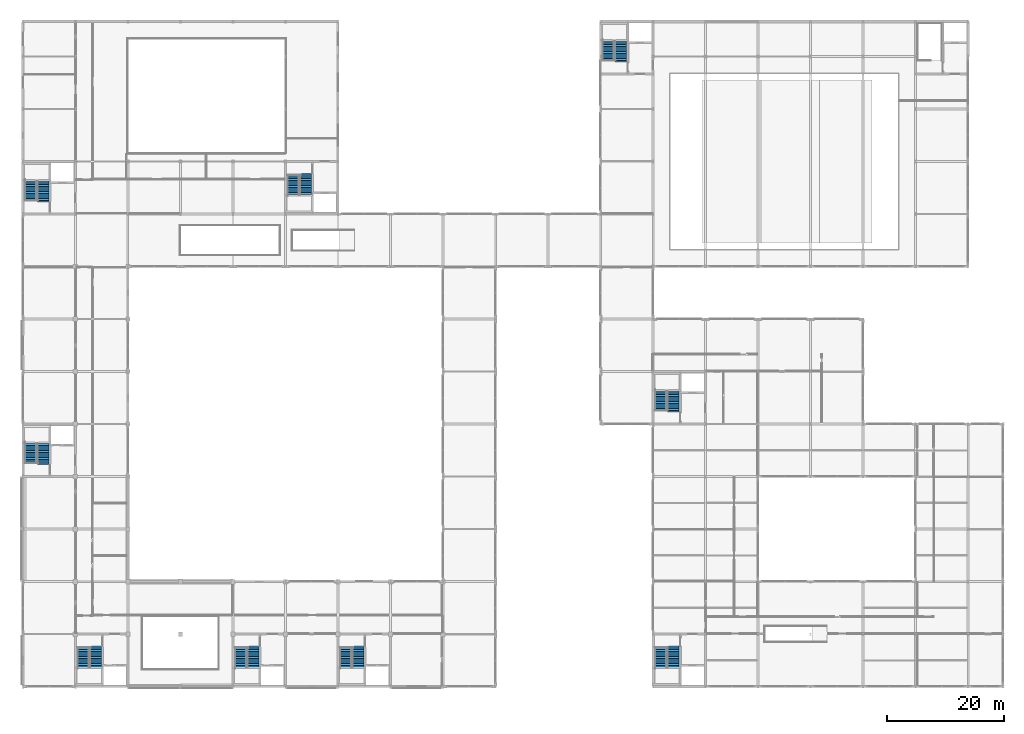
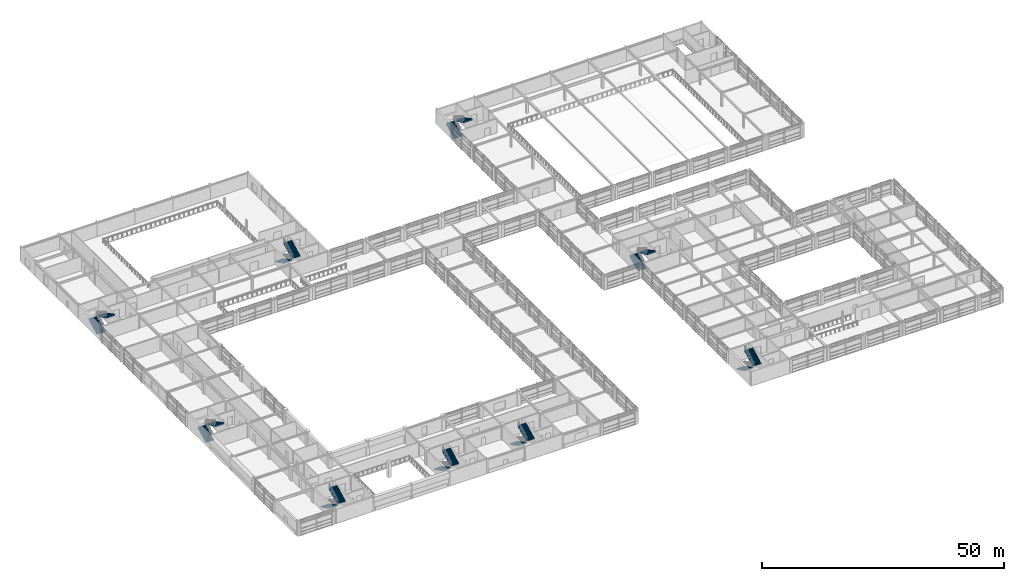
# One storey, part 72 of 79: 18 stair flights, 9 elements without a shape of their own.
"""IFC4 building model written with IfcOpenShell, lengths in metres."""

from ifc_helpers import new_model, si_unit, direction, frame, origin, place, context, subcontext, project, spatial, polyline, outline, extrude, material, type_object, element, aggregate, save


model = new_model("IFC4")

# Units and contexts
model_context = context("Model", 3, precision=1e-05, world=origin(), true_north=direction((0.0, 1.0)))
body_context = subcontext(model_context, "Body", "Model", "MODEL_VIEW")
ifc_project = project(units=[si_unit("LENGTHUNIT", "METRE"), si_unit("AREAUNIT", "SQUARE_METRE"), si_unit("VOLUMEUNIT", "CUBIC_METRE"), si_unit("PLANEANGLEUNIT", "RADIAN"), si_unit("MASSUNIT", "GRAM", prefix="KILO")], contexts=[model_context])

# Site, building, storey
site_placement = place(None, origin())
site = spatial("IfcSite", under=ifc_project, at=site_placement, CompositionType="ELEMENT")
building_placement = place(site_placement, origin())
building = spatial("IfcBuilding", under=site, at=building_placement, Name="Palais des Congres Ocreval", CompositionType="ELEMENT")
storey_placement = place(building_placement, frame((0.0, 0.0, 4.320068359375)))
storey = spatial("IfcBuildingStorey", under=building, at=storey_placement, Name="L01", CompositionType="ELEMENT", Elevation=4.320068359375)

# Stair, stair flights
ifc_material = material(Name="Concrete C40/50", Category="concrete")
stair_type_1 = type_object("IfcStairType", Name="Commission Core Stair 1950 Concrete C40/50", PredefinedType="HALF_TURN_STAIR", material=ifc_material)
stair_1_placement = place(storey_placement, origin())
stair_1 = element("IfcStair", 1, at=stair_1_placement, inside=storey, type_object=stair_type_1, Name="Protected Core Stair ST09 L01", PredefinedType="HALF_TURN_STAIR")
stair_flight_type_1 = type_object("IfcStairFlightType", Name="Commission Stair Flight W1950 Concrete C40/50", PredefinedType="STRAIGHT", material=ifc_material)
stair_flight_1_placement = place(storey_placement, frame((109.344970703125, 6.64990234375, 0.0), z_axis=(0.0, 0.0, 1.0), x_axis=(0.0, -1.0, 0.0)))
stair_flight_1 = element("IfcStairFlight", 2, at=stair_flight_1_placement, type_object=stair_flight_type_1, Name="Stair ST09 L01 Flight 1", NumberOfRisers=12, NumberOfTreads=11, PredefinedType="STRAIGHT", RiserHeight=0.16, TreadLength=0.3, context=body_context, shape_type="SweptSolid", body=[
    extrude(outline(polyline([(-0.006103515625, 0.0), (-0.006103515625, 0.080078125), (0.0, 0.159912109375), (0.300048828125, 0.159912109375), (0.300048828125, 0.320068359375), (0.60009765625, 0.320068359375), (0.60009765625, 0.47998046875), (0.89990234375, 0.47998046875), (0.89990234375, 0.639892578125), (1.199951171875, 0.639892578125), (1.199951171875, 0.800048828125), (1.5, 0.800048828125), (1.5, 0.9599609375), (1.800048828125, 0.9599609375), (1.800048828125, 1.1201171875), (2.10009765625, 1.1201171875), (2.10009765625, 1.280029296875), (2.39990234375, 1.280029296875), (2.39990234375, 1.43994140625), (2.699951171875, 1.43994140625), (2.699951171875, 1.60009765625), (3.0, 1.60009765625), (3.0, 1.760009765625), (3.300048828125, 1.760009765625), (3.300048828125, 1.919921875), (3.4599609375, 1.919921875), (3.4599609375, 1.578857421875), (0.33984375, 0.0), (-0.006103515625, 0.0)])), frame((0.0, 0.97509765625, 0.0), z_axis=(0.0, -1.0, 0.0), x_axis=(1.0, 0.0, 0.0)), (0.0, 0.0, 1.0), 1.949951171875),
])
stair_flight_2_placement = place(storey_placement, frame((111.455078125, 3.35009765625, 1.919921875), z_axis=(0.0, 0.0, 1.0), x_axis=(0.0, 1.0, 0.0)))
stair_flight_2 = element("IfcStairFlight", 3, at=stair_flight_2_placement, type_object=stair_flight_type_1, Name="Stair ST09 L01 Flight 2", NumberOfRisers=12, NumberOfTreads=11, PredefinedType="STRAIGHT", RiserHeight=0.16, TreadLength=0.3, context=body_context, shape_type="SweptSolid", body=[
    extrude(outline(polyline([(-0.006103515625, 0.0), (-0.006103515625, 0.080078125), (0.0, 0.159912109375), (0.300048828125, 0.159912109375), (0.300048828125, 0.320068359375), (0.60009765625, 0.320068359375), (0.60009765625, 0.47998046875), (0.89990234375, 0.47998046875), (0.89990234375, 0.639892578125), (1.199951171875, 0.639892578125), (1.199951171875, 0.800048828125), (1.5, 0.800048828125), (1.5, 0.9599609375), (1.800048828125, 0.9599609375), (1.800048828125, 1.1201171875), (2.10009765625, 1.1201171875), (2.10009765625, 1.280029296875), (2.39990234375, 1.280029296875), (2.39990234375, 1.43994140625), (2.699951171875, 1.43994140625), (2.699951171875, 1.60009765625), (3.0, 1.60009765625), (3.0, 1.760009765625), (3.300048828125, 1.760009765625), (3.300048828125, 1.919921875), (3.60009765625, 1.919921875), (3.60009765625, 1.578857421875), (0.33984375, 0.0), (-0.006103515625, 0.0)])), frame((0.0, 0.97509765625, 0.0), z_axis=(0.0, -1.0, 0.0), x_axis=(1.0, 0.0, 0.0)), (0.0, 0.0, 1.0), 1.949951171875),
])
aggregate(stair_1, [stair_flight_1, stair_flight_2])

stair_type_2 = type_object("IfcStairType", Name="Protected Core Stair L01 1950 Concrete C40/50", PredefinedType="HALF_TURN_STAIR", material=ifc_material)
stair_2_placement = place(storey_placement, origin())
stair_2 = element("IfcStair", 4, at=stair_2_placement, inside=storey, type_object=stair_type_2, Name="Protected Core Stair ST01 L01", PredefinedType="HALF_TURN_STAIR")
stair_flight_type_2 = type_object("IfcStairFlightType", Name="Core Stair Flight 12R x 160/300 W1950 Concrete C40/50", PredefinedType="STRAIGHT", material=ifc_material)
stair_flight_3_placement = place(storey_placement, frame((10.344970703125, 6.64990234375, 0.0), z_axis=(0.0, 0.0, 1.0), x_axis=(0.0, -1.0, 0.0)))
stair_flight_3 = element("IfcStairFlight", 5, at=stair_flight_3_placement, type_object=stair_flight_type_2, Name="Stair ST01 L01 Flight 1", NumberOfRisers=12, NumberOfTreads=11, PredefinedType="STRAIGHT", RiserHeight=0.16, TreadLength=0.3, context=body_context, shape_type="SweptSolid", body=[
    extrude(outline(polyline([(-0.006103515625, 0.0), (-0.006103515625, 0.080078125), (0.0, 0.159912109375), (0.300048828125, 0.159912109375), (0.300048828125, 0.320068359375), (0.60009765625, 0.320068359375), (0.60009765625, 0.47998046875), (0.89990234375, 0.47998046875), (0.89990234375, 0.639892578125), (1.199951171875, 0.639892578125), (1.199951171875, 0.800048828125), (1.5, 0.800048828125), (1.5, 0.9599609375), (1.800048828125, 0.9599609375), (1.800048828125, 1.1201171875), (2.10009765625, 1.1201171875), (2.10009765625, 1.280029296875), (2.39990234375, 1.280029296875), (2.39990234375, 1.43994140625), (2.699951171875, 1.43994140625), (2.699951171875, 1.60009765625), (3.0, 1.60009765625), (3.0, 1.760009765625), (3.300048828125, 1.760009765625), (3.300048828125, 1.919921875), (3.4599609375, 1.919921875), (3.4599609375, 1.578857421875), (0.33984375, 0.0), (-0.006103515625, 0.0)])), frame((0.0, 0.97509765625, 0.0), z_axis=(0.0, -1.0, 0.0), x_axis=(1.0, 0.0, 0.0)), (0.0, 0.0, 1.0), 1.949951171875),
])
stair_flight_4_placement = place(storey_placement, frame((12.455078125, 3.35009765625, 1.919921875), z_axis=(0.0, 0.0, 1.0), x_axis=(0.0, 1.0, 0.0)))
stair_flight_4 = element("IfcStairFlight", 6, at=stair_flight_4_placement, type_object=stair_flight_type_2, Name="Stair ST01 L01 Flight 2", NumberOfRisers=12, NumberOfTreads=11, PredefinedType="STRAIGHT", RiserHeight=0.16, TreadLength=0.3, context=body_context, shape_type="SweptSolid", body=[
    extrude(outline(polyline([(-0.006103515625, 0.0), (-0.006103515625, 0.080078125), (0.0, 0.159912109375), (0.300048828125, 0.159912109375), (0.300048828125, 0.320068359375), (0.60009765625, 0.320068359375), (0.60009765625, 0.47998046875), (0.89990234375, 0.47998046875), (0.89990234375, 0.639892578125), (1.199951171875, 0.639892578125), (1.199951171875, 0.800048828125), (1.5, 0.800048828125), (1.5, 0.9599609375), (1.800048828125, 0.9599609375), (1.800048828125, 1.1201171875), (2.10009765625, 1.1201171875), (2.10009765625, 1.280029296875), (2.39990234375, 1.280029296875), (2.39990234375, 1.43994140625), (2.699951171875, 1.43994140625), (2.699951171875, 1.60009765625), (3.0, 1.60009765625), (3.0, 1.760009765625), (3.300048828125, 1.760009765625), (3.300048828125, 1.919921875), (3.60009765625, 1.919921875), (3.60009765625, 1.578857421875), (0.33984375, 0.0), (-0.006103515625, 0.0)])), frame((0.0, 0.97509765625, 0.0), z_axis=(0.0, -1.0, 0.0), x_axis=(1.0, 0.0, 0.0)), (0.0, 0.0, 1.0), 1.949951171875),
])
aggregate(stair_2, [stair_flight_3, stair_flight_4])

stair_3_placement = place(storey_placement, origin())
stair_3 = element("IfcStair", 7, at=stair_3_placement, inside=storey, type_object=stair_type_2, Name="Protected Core Stair ST02 L01", PredefinedType="HALF_TURN_STAIR")
stair_flight_5_placement = place(storey_placement, frame((37.344970703125, 6.64990234375, 0.0), z_axis=(0.0, 0.0, 1.0), x_axis=(0.0, -1.0, 0.0)))
stair_flight_5 = element("IfcStairFlight", 8, at=stair_flight_5_placement, type_object=stair_flight_type_2, Name="Stair ST02 L01 Flight 1", NumberOfRisers=12, NumberOfTreads=11, PredefinedType="STRAIGHT", RiserHeight=0.16, TreadLength=0.3, context=body_context, shape_type="SweptSolid", body=[
    extrude(outline(polyline([(-0.006103515625, 0.0), (-0.006103515625, 0.080078125), (0.0, 0.159912109375), (0.300048828125, 0.159912109375), (0.300048828125, 0.320068359375), (0.60009765625, 0.320068359375), (0.60009765625, 0.47998046875), (0.89990234375, 0.47998046875), (0.89990234375, 0.639892578125), (1.199951171875, 0.639892578125), (1.199951171875, 0.800048828125), (1.5, 0.800048828125), (1.5, 0.9599609375), (1.800048828125, 0.9599609375), (1.800048828125, 1.1201171875), (2.10009765625, 1.1201171875), (2.10009765625, 1.280029296875), (2.39990234375, 1.280029296875), (2.39990234375, 1.43994140625), (2.699951171875, 1.43994140625), (2.699951171875, 1.60009765625), (3.0, 1.60009765625), (3.0, 1.760009765625), (3.300048828125, 1.760009765625), (3.300048828125, 1.919921875), (3.4599609375, 1.919921875), (3.4599609375, 1.578857421875), (0.33984375, 0.0), (-0.006103515625, 0.0)])), frame((0.0, 0.97509765625, 0.0), z_axis=(0.0, -1.0, 0.0), x_axis=(1.0, 0.0, 0.0)), (0.0, 0.0, 1.0), 1.949951171875),
])
stair_flight_6_placement = place(storey_placement, frame((39.455078125, 3.35009765625, 1.919921875), z_axis=(0.0, 0.0, 1.0), x_axis=(0.0, 1.0, 0.0)))
stair_flight_6 = element("IfcStairFlight", 9, at=stair_flight_6_placement, type_object=stair_flight_type_2, Name="Stair ST02 L01 Flight 2", NumberOfRisers=12, NumberOfTreads=11, PredefinedType="STRAIGHT", RiserHeight=0.16, TreadLength=0.3, context=body_context, shape_type="SweptSolid", body=[
    extrude(outline(polyline([(-0.006103515625, 0.0), (-0.006103515625, 0.080078125), (0.0, 0.159912109375), (0.300048828125, 0.159912109375), (0.300048828125, 0.320068359375), (0.60009765625, 0.320068359375), (0.60009765625, 0.47998046875), (0.89990234375, 0.47998046875), (0.89990234375, 0.639892578125), (1.199951171875, 0.639892578125), (1.199951171875, 0.800048828125), (1.5, 0.800048828125), (1.5, 0.9599609375), (1.800048828125, 0.9599609375), (1.800048828125, 1.1201171875), (2.10009765625, 1.1201171875), (2.10009765625, 1.280029296875), (2.39990234375, 1.280029296875), (2.39990234375, 1.43994140625), (2.699951171875, 1.43994140625), (2.699951171875, 1.60009765625), (3.0, 1.60009765625), (3.0, 1.760009765625), (3.300048828125, 1.760009765625), (3.300048828125, 1.919921875), (3.60009765625, 1.919921875), (3.60009765625, 1.578857421875), (0.33984375, 0.0), (-0.006103515625, 0.0)])), frame((0.0, 0.97509765625, 0.0), z_axis=(0.0, -1.0, 0.0), x_axis=(1.0, 0.0, 0.0)), (0.0, 0.0, 1.0), 1.949951171875),
])
aggregate(stair_3, [stair_flight_5, stair_flight_6])

stair_4_placement = place(storey_placement, origin())
stair_4 = element("IfcStair", 10, at=stair_4_placement, inside=storey, type_object=stair_type_2, Name="Protected Core Stair ST03 L01", PredefinedType="HALF_TURN_STAIR")
stair_flight_7_placement = place(storey_placement, frame((1.344970703125, 38.35009765625, 0.0), z_axis=(0.0, 0.0, 1.0), x_axis=(0.0, 1.0, 0.0)))
stair_flight_7 = element("IfcStairFlight", 11, at=stair_flight_7_placement, type_object=stair_flight_type_2, Name="Stair ST03 L01 Flight 1", NumberOfRisers=12, NumberOfTreads=11, PredefinedType="STRAIGHT", RiserHeight=0.16, TreadLength=0.3, context=body_context, shape_type="SweptSolid", body=[
    extrude(outline(polyline([(-0.006103515625, 0.0), (-0.006103515625, 0.080078125), (0.0, 0.159912109375), (0.300048828125, 0.159912109375), (0.300048828125, 0.320068359375), (0.60009765625, 0.320068359375), (0.60009765625, 0.47998046875), (0.89990234375, 0.47998046875), (0.89990234375, 0.639892578125), (1.199951171875, 0.639892578125), (1.199951171875, 0.800048828125), (1.5, 0.800048828125), (1.5, 0.9599609375), (1.800048828125, 0.9599609375), (1.800048828125, 1.1201171875), (2.10009765625, 1.1201171875), (2.10009765625, 1.280029296875), (2.39990234375, 1.280029296875), (2.39990234375, 1.43994140625), (2.699951171875, 1.43994140625), (2.699951171875, 1.60009765625), (3.0, 1.60009765625), (3.0, 1.760009765625), (3.300048828125, 1.760009765625), (3.300048828125, 1.919921875), (3.4599609375, 1.919921875), (3.4599609375, 1.578857421875), (0.33984375, 0.0), (-0.006103515625, 0.0)])), frame((0.0, 0.97509765625, 0.0), z_axis=(0.0, -1.0, 0.0), x_axis=(1.0, 0.0, 0.0)), (0.0, 0.0, 1.0), 1.949951171875),
])
stair_flight_8_placement = place(storey_placement, frame((3.455078125, 41.64990234375, 1.919921875), z_axis=(0.0, 0.0, 1.0), x_axis=(0.0, -1.0, 0.0)))
stair_flight_8 = element("IfcStairFlight", 12, at=stair_flight_8_placement, type_object=stair_flight_type_2, Name="Stair ST03 L01 Flight 2", NumberOfRisers=12, NumberOfTreads=11, PredefinedType="STRAIGHT", RiserHeight=0.16, TreadLength=0.3, context=body_context, shape_type="SweptSolid", body=[
    extrude(outline(polyline([(-0.006103515625, 0.0), (-0.006103515625, 0.080078125), (0.0, 0.159912109375), (0.300048828125, 0.159912109375), (0.300048828125, 0.320068359375), (0.60009765625, 0.320068359375), (0.60009765625, 0.47998046875), (0.89990234375, 0.47998046875), (0.89990234375, 0.639892578125), (1.199951171875, 0.639892578125), (1.199951171875, 0.800048828125), (1.5, 0.800048828125), (1.5, 0.9599609375), (1.800048828125, 0.9599609375), (1.800048828125, 1.1201171875), (2.10009765625, 1.1201171875), (2.10009765625, 1.280029296875), (2.39990234375, 1.280029296875), (2.39990234375, 1.43994140625), (2.699951171875, 1.43994140625), (2.699951171875, 1.60009765625), (3.0, 1.60009765625), (3.0, 1.760009765625), (3.300048828125, 1.760009765625), (3.300048828125, 1.919921875), (3.60009765625, 1.919921875), (3.60009765625, 1.578857421875), (0.33984375, 0.0), (-0.006103515625, 0.0)])), frame((0.0, 0.97509765625, 0.0), z_axis=(0.0, -1.0, 0.0), x_axis=(1.0, 0.0, 0.0)), (0.0, 0.0, 1.0), 1.949951171875),
])
aggregate(stair_4, [stair_flight_7, stair_flight_8])

stair_5_placement = place(storey_placement, origin())
stair_5 = element("IfcStair", 13, at=stair_5_placement, inside=storey, type_object=stair_type_2, Name="Protected Core Stair ST04 L01", PredefinedType="HALF_TURN_STAIR")
stair_flight_9_placement = place(storey_placement, frame((55.344970703125, 6.64990234375, 0.0), z_axis=(0.0, 0.0, 1.0), x_axis=(0.0, -1.0, 0.0)))
stair_flight_9 = element("IfcStairFlight", 14, at=stair_flight_9_placement, type_object=stair_flight_type_2, Name="Stair ST04 L01 Flight 1", NumberOfRisers=12, NumberOfTreads=11, PredefinedType="STRAIGHT", RiserHeight=0.16, TreadLength=0.3, context=body_context, shape_type="SweptSolid", body=[
    extrude(outline(polyline([(-0.006103515625, 0.0), (-0.006103515625, 0.080078125), (0.0, 0.159912109375), (0.300048828125, 0.159912109375), (0.300048828125, 0.320068359375), (0.60009765625, 0.320068359375), (0.60009765625, 0.47998046875), (0.89990234375, 0.47998046875), (0.89990234375, 0.639892578125), (1.199951171875, 0.639892578125), (1.199951171875, 0.800048828125), (1.5, 0.800048828125), (1.5, 0.9599609375), (1.800048828125, 0.9599609375), (1.800048828125, 1.1201171875), (2.10009765625, 1.1201171875), (2.10009765625, 1.280029296875), (2.39990234375, 1.280029296875), (2.39990234375, 1.43994140625), (2.699951171875, 1.43994140625), (2.699951171875, 1.60009765625), (3.0, 1.60009765625), (3.0, 1.760009765625), (3.300048828125, 1.760009765625), (3.300048828125, 1.919921875), (3.4599609375, 1.919921875), (3.4599609375, 1.578857421875), (0.33984375, 0.0), (-0.006103515625, 0.0)])), frame((0.0, 0.97509765625, 0.0), z_axis=(0.0, -1.0, 0.0), x_axis=(1.0, 0.0, 0.0)), (0.0, 0.0, 1.0), 1.949951171875),
])
stair_flight_10_placement = place(storey_placement, frame((57.455078125, 3.35009765625, 1.919921875), z_axis=(0.0, 0.0, 1.0), x_axis=(0.0, 1.0, 0.0)))
stair_flight_10 = element("IfcStairFlight", 15, at=stair_flight_10_placement, type_object=stair_flight_type_2, Name="Stair ST04 L01 Flight 2", NumberOfRisers=12, NumberOfTreads=11, PredefinedType="STRAIGHT", RiserHeight=0.16, TreadLength=0.3, context=body_context, shape_type="SweptSolid", body=[
    extrude(outline(polyline([(-0.006103515625, 0.0), (-0.006103515625, 0.080078125), (0.0, 0.159912109375), (0.300048828125, 0.159912109375), (0.300048828125, 0.320068359375), (0.60009765625, 0.320068359375), (0.60009765625, 0.47998046875), (0.89990234375, 0.47998046875), (0.89990234375, 0.639892578125), (1.199951171875, 0.639892578125), (1.199951171875, 0.800048828125), (1.5, 0.800048828125), (1.5, 0.9599609375), (1.800048828125, 0.9599609375), (1.800048828125, 1.1201171875), (2.10009765625, 1.1201171875), (2.10009765625, 1.280029296875), (2.39990234375, 1.280029296875), (2.39990234375, 1.43994140625), (2.699951171875, 1.43994140625), (2.699951171875, 1.60009765625), (3.0, 1.60009765625), (3.0, 1.760009765625), (3.300048828125, 1.760009765625), (3.300048828125, 1.919921875), (3.60009765625, 1.919921875), (3.60009765625, 1.578857421875), (0.33984375, 0.0), (-0.006103515625, 0.0)])), frame((0.0, 0.97509765625, 0.0), z_axis=(0.0, -1.0, 0.0), x_axis=(1.0, 0.0, 0.0)), (0.0, 0.0, 1.0), 1.949951171875),
])
aggregate(stair_5, [stair_flight_9, stair_flight_10])

stair_6_placement = place(storey_placement, origin())
stair_6 = element("IfcStair", 16, at=stair_6_placement, inside=storey, type_object=stair_type_2, Name="Protected Core Stair ST05 L01", PredefinedType="HALF_TURN_STAIR")
stair_flight_11_placement = place(storey_placement, frame((1.344970703125, 83.35009765625, 0.0), z_axis=(0.0, 0.0, 1.0), x_axis=(0.0, 1.0, 0.0)))
stair_flight_11 = element("IfcStairFlight", 17, at=stair_flight_11_placement, type_object=stair_flight_type_2, Name="Stair ST05 L01 Flight 1", NumberOfRisers=12, NumberOfTreads=11, PredefinedType="STRAIGHT", RiserHeight=0.16, TreadLength=0.3, context=body_context, shape_type="SweptSolid", body=[
    extrude(outline(polyline([(-0.006103515625, 0.0), (-0.006103515625, 0.080078125), (0.0, 0.159912109375), (0.300048828125, 0.159912109375), (0.300048828125, 0.320068359375), (0.60009765625, 0.320068359375), (0.60009765625, 0.47998046875), (0.89990234375, 0.47998046875), (0.89990234375, 0.639892578125), (1.199951171875, 0.639892578125), (1.199951171875, 0.800048828125), (1.5, 0.800048828125), (1.5, 0.9599609375), (1.800048828125, 0.9599609375), (1.800048828125, 1.1201171875), (2.10009765625, 1.1201171875), (2.10009765625, 1.280029296875), (2.39990234375, 1.280029296875), (2.39990234375, 1.43994140625), (2.699951171875, 1.43994140625), (2.699951171875, 1.60009765625), (3.0, 1.60009765625), (3.0, 1.760009765625), (3.300048828125, 1.760009765625), (3.300048828125, 1.919921875), (3.4599609375, 1.919921875), (3.4599609375, 1.578857421875), (0.33984375, 0.0), (-0.006103515625, 0.0)])), frame((0.0, 0.97509765625, 0.0), z_axis=(0.0, -1.0, 0.0), x_axis=(1.0, 0.0, 0.0)), (0.0, 0.0, 1.0), 1.949951171875),
])
stair_flight_12_placement = place(storey_placement, frame((3.455078125, 86.64990234375, 1.919921875), z_axis=(0.0, 0.0, 1.0), x_axis=(0.0, -1.0, 0.0)))
stair_flight_12 = element("IfcStairFlight", 18, at=stair_flight_12_placement, type_object=stair_flight_type_2, Name="Stair ST05 L01 Flight 2", NumberOfRisers=12, NumberOfTreads=11, PredefinedType="STRAIGHT", RiserHeight=0.16, TreadLength=0.3, context=body_context, shape_type="SweptSolid", body=[
    extrude(outline(polyline([(-0.006103515625, 0.0), (-0.006103515625, 0.080078125), (0.0, 0.159912109375), (0.300048828125, 0.159912109375), (0.300048828125, 0.320068359375), (0.60009765625, 0.320068359375), (0.60009765625, 0.47998046875), (0.89990234375, 0.47998046875), (0.89990234375, 0.639892578125), (1.199951171875, 0.639892578125), (1.199951171875, 0.800048828125), (1.5, 0.800048828125), (1.5, 0.9599609375), (1.800048828125, 0.9599609375), (1.800048828125, 1.1201171875), (2.10009765625, 1.1201171875), (2.10009765625, 1.280029296875), (2.39990234375, 1.280029296875), (2.39990234375, 1.43994140625), (2.699951171875, 1.43994140625), (2.699951171875, 1.60009765625), (3.0, 1.60009765625), (3.0, 1.760009765625), (3.300048828125, 1.760009765625), (3.300048828125, 1.919921875), (3.60009765625, 1.919921875), (3.60009765625, 1.578857421875), (0.33984375, 0.0), (-0.006103515625, 0.0)])), frame((0.0, 0.97509765625, 0.0), z_axis=(0.0, -1.0, 0.0), x_axis=(1.0, 0.0, 0.0)), (0.0, 0.0, 1.0), 1.949951171875),
])
aggregate(stair_6, [stair_flight_11, stair_flight_12])

stair_7_placement = place(storey_placement, origin())
stair_7 = element("IfcStair", 19, at=stair_7_placement, inside=storey, type_object=stair_type_2, Name="Protected Core Stair ST06 L01", PredefinedType="HALF_TURN_STAIR")
stair_flight_13_placement = place(storey_placement, frame((46.344970703125, 87.64990234375, 0.0), z_axis=(0.0, 0.0, 1.0), x_axis=(0.0, -1.0, 0.0)))
stair_flight_13 = element("IfcStairFlight", 20, at=stair_flight_13_placement, type_object=stair_flight_type_2, Name="Stair ST06 L01 Flight 1", NumberOfRisers=12, NumberOfTreads=11, PredefinedType="STRAIGHT", RiserHeight=0.16, TreadLength=0.3, context=body_context, shape_type="SweptSolid", body=[
    extrude(outline(polyline([(-0.006103515625, 0.0), (-0.006103515625, 0.080078125), (0.0, 0.159912109375), (0.300048828125, 0.159912109375), (0.300048828125, 0.320068359375), (0.60009765625, 0.320068359375), (0.60009765625, 0.47998046875), (0.89990234375, 0.47998046875), (0.89990234375, 0.639892578125), (1.199951171875, 0.639892578125), (1.199951171875, 0.800048828125), (1.5, 0.800048828125), (1.5, 0.9599609375), (1.800048828125, 0.9599609375), (1.800048828125, 1.1201171875), (2.10009765625, 1.1201171875), (2.10009765625, 1.280029296875), (2.39990234375, 1.280029296875), (2.39990234375, 1.43994140625), (2.699951171875, 1.43994140625), (2.699951171875, 1.60009765625), (3.0, 1.60009765625), (3.0, 1.760009765625), (3.300048828125, 1.760009765625), (3.300048828125, 1.919921875), (3.4599609375, 1.919921875), (3.4599609375, 1.578857421875), (0.33984375, 0.0), (-0.006103515625, 0.0)])), frame((0.0, 0.97509765625, 0.0), z_axis=(0.0, -1.0, 0.0), x_axis=(1.0, 0.0, 0.0)), (0.0, 0.0, 1.0), 1.949951171875),
])
stair_flight_14_placement = place(storey_placement, frame((48.455078125, 84.35009765625, 1.919921875), z_axis=(0.0, 0.0, 1.0), x_axis=(0.0, 1.0, 0.0)))
stair_flight_14 = element("IfcStairFlight", 21, at=stair_flight_14_placement, type_object=stair_flight_type_2, Name="Stair ST06 L01 Flight 2", NumberOfRisers=12, NumberOfTreads=11, PredefinedType="STRAIGHT", RiserHeight=0.16, TreadLength=0.3, context=body_context, shape_type="SweptSolid", body=[
    extrude(outline(polyline([(-0.006103515625, 0.0), (-0.006103515625, 0.080078125), (0.0, 0.159912109375), (0.300048828125, 0.159912109375), (0.300048828125, 0.320068359375), (0.60009765625, 0.320068359375), (0.60009765625, 0.47998046875), (0.89990234375, 0.47998046875), (0.89990234375, 0.639892578125), (1.199951171875, 0.639892578125), (1.199951171875, 0.800048828125), (1.5, 0.800048828125), (1.5, 0.9599609375), (1.800048828125, 0.9599609375), (1.800048828125, 1.1201171875), (2.10009765625, 1.1201171875), (2.10009765625, 1.280029296875), (2.39990234375, 1.280029296875), (2.39990234375, 1.43994140625), (2.699951171875, 1.43994140625), (2.699951171875, 1.60009765625), (3.0, 1.60009765625), (3.0, 1.760009765625), (3.300048828125, 1.760009765625), (3.300048828125, 1.919921875), (3.60009765625, 1.919921875), (3.60009765625, 1.578857421875), (0.33984375, 0.0), (-0.006103515625, 0.0)])), frame((0.0, 0.97509765625, 0.0), z_axis=(0.0, -1.0, 0.0), x_axis=(1.0, 0.0, 0.0)), (0.0, 0.0, 1.0), 1.949951171875),
])
aggregate(stair_7, [stair_flight_13, stair_flight_14])

stair_8_placement = place(storey_placement, origin())
stair_8 = element("IfcStair", 22, at=stair_8_placement, inside=storey, type_object=stair_type_2, Name="Protected Core Stair ST07 L01", PredefinedType="HALF_TURN_STAIR")
stair_flight_15_placement = place(storey_placement, frame((100.344970703125, 107.35009765625, 0.0), z_axis=(0.0, 0.0, 1.0), x_axis=(0.0, 1.0, 0.0)))
stair_flight_15 = element("IfcStairFlight", 23, at=stair_flight_15_placement, type_object=stair_flight_type_2, Name="Stair ST07 L01 Flight 1", NumberOfRisers=12, NumberOfTreads=11, PredefinedType="STRAIGHT", RiserHeight=0.16, TreadLength=0.3, context=body_context, shape_type="SweptSolid", body=[
    extrude(outline(polyline([(-0.006103515625, 0.0), (-0.006103515625, 0.080078125), (0.0, 0.159912109375), (0.300048828125, 0.159912109375), (0.300048828125, 0.320068359375), (0.60009765625, 0.320068359375), (0.60009765625, 0.47998046875), (0.89990234375, 0.47998046875), (0.89990234375, 0.639892578125), (1.199951171875, 0.639892578125), (1.199951171875, 0.800048828125), (1.5, 0.800048828125), (1.5, 0.9599609375), (1.800048828125, 0.9599609375), (1.800048828125, 1.1201171875), (2.10009765625, 1.1201171875), (2.10009765625, 1.280029296875), (2.39990234375, 1.280029296875), (2.39990234375, 1.43994140625), (2.699951171875, 1.43994140625), (2.699951171875, 1.60009765625), (3.0, 1.60009765625), (3.0, 1.760009765625), (3.300048828125, 1.760009765625), (3.300048828125, 1.919921875), (3.4599609375, 1.919921875), (3.4599609375, 1.578857421875), (0.33984375, 0.0), (-0.006103515625, 0.0)])), frame((0.0, 0.97509765625, 0.0), z_axis=(0.0, -1.0, 0.0), x_axis=(1.0, 0.0, 0.0)), (0.0, 0.0, 1.0), 1.949951171875),
])
stair_flight_16_placement = place(storey_placement, frame((102.455078125, 110.64990234375, 1.919921875), z_axis=(0.0, 0.0, 1.0), x_axis=(0.0, -1.0, 0.0)))
stair_flight_16 = element("IfcStairFlight", 24, at=stair_flight_16_placement, type_object=stair_flight_type_2, Name="Stair ST07 L01 Flight 2", NumberOfRisers=12, NumberOfTreads=11, PredefinedType="STRAIGHT", RiserHeight=0.16, TreadLength=0.3, context=body_context, shape_type="SweptSolid", body=[
    extrude(outline(polyline([(-0.006103515625, 0.0), (-0.006103515625, 0.080078125), (0.0, 0.159912109375), (0.300048828125, 0.159912109375), (0.300048828125, 0.320068359375), (0.60009765625, 0.320068359375), (0.60009765625, 0.47998046875), (0.89990234375, 0.47998046875), (0.89990234375, 0.639892578125), (1.199951171875, 0.639892578125), (1.199951171875, 0.800048828125), (1.5, 0.800048828125), (1.5, 0.9599609375), (1.800048828125, 0.9599609375), (1.800048828125, 1.1201171875), (2.10009765625, 1.1201171875), (2.10009765625, 1.280029296875), (2.39990234375, 1.280029296875), (2.39990234375, 1.43994140625), (2.699951171875, 1.43994140625), (2.699951171875, 1.60009765625), (3.0, 1.60009765625), (3.0, 1.760009765625), (3.300048828125, 1.760009765625), (3.300048828125, 1.919921875), (3.60009765625, 1.919921875), (3.60009765625, 1.578857421875), (0.33984375, 0.0), (-0.006103515625, 0.0)])), frame((0.0, 0.97509765625, 0.0), z_axis=(0.0, -1.0, 0.0), x_axis=(1.0, 0.0, 0.0)), (0.0, 0.0, 1.0), 1.949951171875),
])
aggregate(stair_8, [stair_flight_15, stair_flight_16])

stair_type_3 = type_object("IfcStairType", Name="Spa Pavilion Core Stair 1950 Concrete C40/50", PredefinedType="HALF_TURN_STAIR", material=ifc_material)
stair_9_placement = place(storey_placement, origin())
stair_9 = element("IfcStair", 25, at=stair_9_placement, inside=storey, type_object=stair_type_3, Name="Protected Core Stair ST10 L01", PredefinedType="HALF_TURN_STAIR")
stair_flight_type_3 = type_object("IfcStairFlightType", Name="Spa Pavilion Stair Flight W1950 Concrete C40/50", PredefinedType="STRAIGHT", material=ifc_material)
stair_flight_17_placement = place(storey_placement, frame((109.344970703125, 47.35009765625, 0.0), z_axis=(0.0, 0.0, 1.0), x_axis=(0.0, 1.0, 0.0)))
stair_flight_17 = element("IfcStairFlight", 26, at=stair_flight_17_placement, type_object=stair_flight_type_3, Name="Stair ST10 L01 Flight 1", NumberOfRisers=12, NumberOfTreads=11, PredefinedType="STRAIGHT", RiserHeight=0.16, TreadLength=0.3, context=body_context, shape_type="SweptSolid", body=[
    extrude(outline(polyline([(-0.006103515625, 0.0), (-0.006103515625, 0.080078125), (0.0, 0.159912109375), (0.300048828125, 0.159912109375), (0.300048828125, 0.320068359375), (0.60009765625, 0.320068359375), (0.60009765625, 0.47998046875), (0.89990234375, 0.47998046875), (0.89990234375, 0.639892578125), (1.199951171875, 0.639892578125), (1.199951171875, 0.800048828125), (1.5, 0.800048828125), (1.5, 0.9599609375), (1.800048828125, 0.9599609375), (1.800048828125, 1.1201171875), (2.10009765625, 1.1201171875), (2.10009765625, 1.280029296875), (2.39990234375, 1.280029296875), (2.39990234375, 1.43994140625), (2.699951171875, 1.43994140625), (2.699951171875, 1.60009765625), (3.0, 1.60009765625), (3.0, 1.760009765625), (3.300048828125, 1.760009765625), (3.300048828125, 1.919921875), (3.4599609375, 1.919921875), (3.4599609375, 1.578857421875), (0.33984375, 0.0), (-0.006103515625, 0.0)])), frame((0.0, 0.97509765625, 0.0), z_axis=(0.0, -1.0, 0.0), x_axis=(1.0, 0.0, 0.0)), (0.0, 0.0, 1.0), 1.949951171875),
])
stair_flight_18_placement = place(storey_placement, frame((111.455078125, 50.64990234375, 1.919921875), z_axis=(0.0, 0.0, 1.0), x_axis=(0.0, -1.0, 0.0)))
stair_flight_18 = element("IfcStairFlight", 27, at=stair_flight_18_placement, type_object=stair_flight_type_3, Name="Stair ST10 L01 Flight 2", NumberOfRisers=12, NumberOfTreads=11, PredefinedType="STRAIGHT", RiserHeight=0.16, TreadLength=0.3, context=body_context, shape_type="SweptSolid", body=[
    extrude(outline(polyline([(-0.006103515625, 0.0), (-0.006103515625, 0.080078125), (0.0, 0.159912109375), (0.300048828125, 0.159912109375), (0.300048828125, 0.320068359375), (0.60009765625, 0.320068359375), (0.60009765625, 0.47998046875), (0.89990234375, 0.47998046875), (0.89990234375, 0.639892578125), (1.199951171875, 0.639892578125), (1.199951171875, 0.800048828125), (1.5, 0.800048828125), (1.5, 0.9599609375), (1.800048828125, 0.9599609375), (1.800048828125, 1.1201171875), (2.10009765625, 1.1201171875), (2.10009765625, 1.280029296875), (2.39990234375, 1.280029296875), (2.39990234375, 1.43994140625), (2.699951171875, 1.43994140625), (2.699951171875, 1.60009765625), (3.0, 1.60009765625), (3.0, 1.760009765625), (3.300048828125, 1.760009765625), (3.300048828125, 1.919921875), (3.60009765625, 1.919921875), (3.60009765625, 1.578857421875), (0.33984375, 0.0), (-0.006103515625, 0.0)])), frame((0.0, 0.97509765625, 0.0), z_axis=(0.0, -1.0, 0.0), x_axis=(1.0, 0.0, 0.0)), (0.0, 0.0, 1.0), 1.949951171875),
])
aggregate(stair_9, [stair_flight_17, stair_flight_18])

save(model, "model.ifc")
